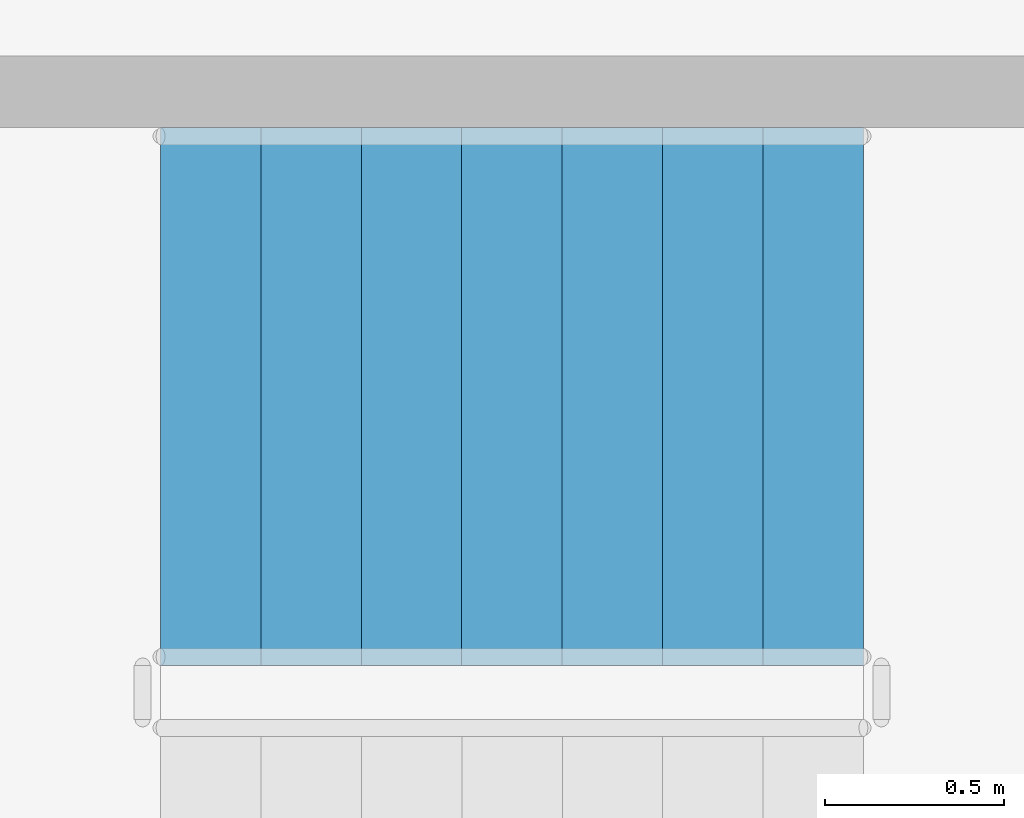
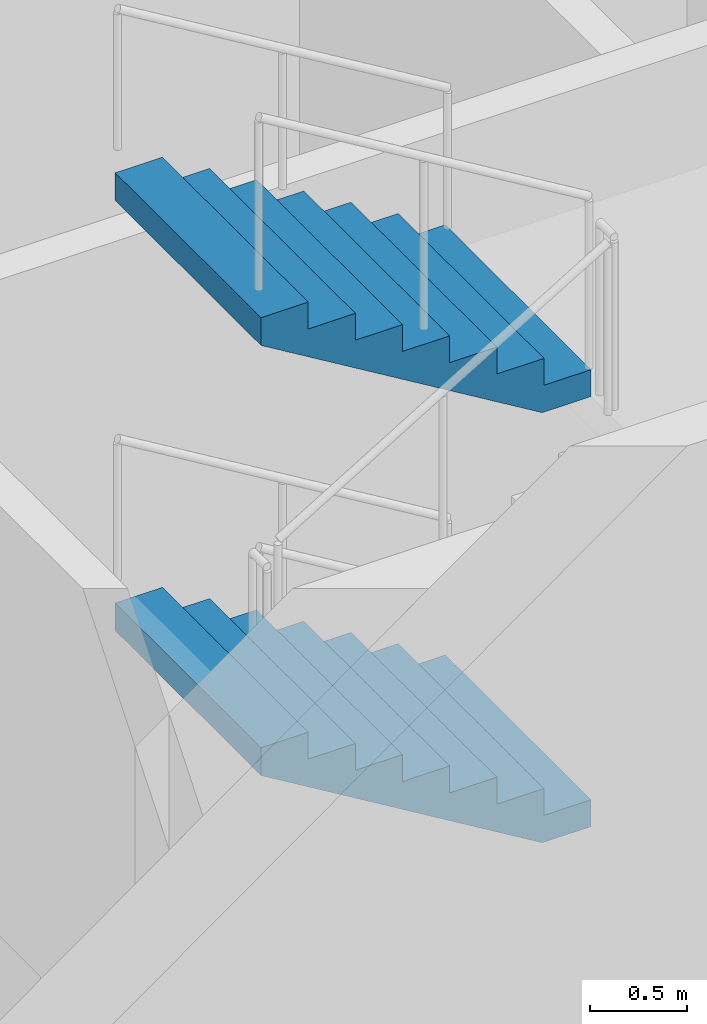
# One storey, part 52 of 101: 2 stair flights, 1 element without a shape of its own.
"""IFC4 building model written with IfcOpenShell, lengths in metres."""

from ifc_helpers import new_model, si_unit, direction, frame, origin, place, context, subcontext, project, spatial, triangles, material, type_object, element, aggregate, save


model = new_model("IFC4")

# Units and contexts
model_context = context("Model", 3, precision=1e-05, world=origin(), true_north=direction((0.0, 1.0)))
body_context = subcontext(model_context, "Body", "Model", "MODEL_VIEW")
ifc_project = project(units=[si_unit("LENGTHUNIT", "METRE"), si_unit("AREAUNIT", "SQUARE_METRE"), si_unit("VOLUMEUNIT", "CUBIC_METRE"), si_unit("PLANEANGLEUNIT", "RADIAN"), si_unit("MASSUNIT", "GRAM", prefix="KILO")], contexts=[model_context])

# Site, building, storey
site_placement = place(None, origin())
site = spatial("IfcSite", under=ifc_project, at=site_placement, CompositionType="ELEMENT")
building_placement = place(site_placement, origin())
building = spatial("IfcBuilding", under=site, at=building_placement, Name="Magnolia Steps Interchange", CompositionType="ELEMENT")
storey_placement = place(building_placement, frame((0.0, 0.0, -5.39990234375)))
storey = spatial("IfcBuildingStorey", under=building, at=storey_placement, Name="B1", CompositionType="ELEMENT", Elevation=-5.39990234375)

# Stair, stair flights
ifc_material_1 = material(Name="Concrete C40", Category="concrete")
stair_type = type_object("IfcStairType", Name="Exit stair 1500", PredefinedType="HALF_TURN_STAIR", material=ifc_material_1)
stair_placement = place(storey_placement, origin())
stair = element("IfcStair", 1, at=stair_placement, inside=storey, type_object=stair_type, Name="B1 Stair 8", PredefinedType="HALF_TURN_STAIR")
ifc_material_2 = material(Name="Concrete C40", Category="concrete")
stair_flight_type = type_object("IfcStairFlightType", Name="Exit stair flight", PredefinedType="STRAIGHT", material=ifc_material_2)
stair_flight_1_placement = place(storey_placement, frame((114.159912109375, 45.300048828125, 1.349853515625), z_axis=(0.0, 0.0, 1.0), x_axis=(-1.0, 0.0, 0.0)))
stair_flight_1 = element("IfcStairFlight", 2, at=stair_flight_1_placement, type_object=stair_flight_type, Name="Stair 8 flight 2", NumberOfRisers=8, NumberOfTreads=7, PredefinedType="STRAIGHT", RiserHeight=0.16875, TreadLength=0.28, context=body_context, shape_type="Tessellation", body=[
    triangles([(0.0, -0.75, 0.0), (0.29052734375, -0.75, 0.0), (1.9599609375, -0.75, 1.00634765625), (1.9599609375, -0.75, 1.18115234375), (1.679931640625, -0.75, 1.18115234375), (1.679931640625, -0.75, 1.012451171875), (1.39990234375, -0.75, 1.012451171875), (1.39990234375, -0.75, 0.84375), (1.1201171875, -0.75, 0.84375), (1.1201171875, -0.75, 0.675048828125), (0.840087890625, -0.75, 0.675048828125), (0.840087890625, -0.75, 0.50634765625), (0.56005859375, -0.75, 0.50634765625), (0.56005859375, -0.75, 0.33740234375), (0.280029296875, -0.75, 0.33740234375), (0.280029296875, -0.75, 0.168701171875), (0.0, -0.75, 0.168701171875), (0.0, 0.75, 0.0), (0.29052734375, 0.75, 0.0), (1.9599609375, 0.75, 1.00634765625), (1.9599609375, 0.75, 1.18115234375), (1.679931640625, 0.75, 1.18115234375), (1.679931640625, 0.75, 1.012451171875), (1.39990234375, 0.75, 1.012451171875), (1.39990234375, 0.75, 0.84375), (1.1201171875, 0.75, 0.84375), (1.1201171875, 0.75, 0.675048828125), (0.840087890625, 0.75, 0.675048828125), (0.840087890625, 0.75, 0.50634765625), (0.56005859375, 0.75, 0.50634765625), (0.56005859375, 0.75, 0.33740234375), (0.280029296875, 0.75, 0.33740234375), (0.280029296875, 0.75, 0.168701171875), (0.0, 0.75, 0.168701171875), (0.0, 0.0, 0.0), (0.0, 0.0, 0.04217529296875), (0.0, 0.0, 0.0843505859375), (0.0, 0.0, 0.12652587890625), (0.0, 0.0, 0.168701171875), (0.0, -0.05, 0.0), (0.0, -0.05, 0.168701171875), (0.0, 0.05, 0.0), (0.0, 0.05, 0.168701171875), (0.046671549479166664, 0.0, 0.168701171875), (0.09334309895833333, 0.0, 0.168701171875), (0.1400146484375, 0.0, 0.168701171875), (0.18668619791666666, 0.0, 0.168701171875), (0.23335774739583334, 0.0, 0.168701171875), (0.280029296875, 0.0, 0.168701171875), (0.280029296875, -0.05, 0.168701171875), (0.280029296875, 0.05, 0.168701171875), (0.280029296875, 0.0, 0.21087646484375), (0.280029296875, 0.0, 0.2530517578125), (0.280029296875, 0.0, 0.29522705078125), (0.280029296875, 0.0, 0.33740234375), (0.280029296875, -0.05, 0.33740234375), (0.280029296875, 0.05, 0.33740234375), (0.3267008463541667, 0.0, 0.33740234375), (0.3733723958333333, 0.0, 0.33740234375), (0.4200439453125, 0.0, 0.33740234375), (0.46671549479166663, 0.0, 0.33740234375), (0.5133870442708334, 0.0, 0.33740234375), (0.56005859375, 0.0, 0.33740234375), (0.56005859375, -0.05, 0.33740234375), (0.56005859375, 0.05, 0.33740234375), (0.56005859375, 0.0, 0.379638671875), (0.56005859375, 0.0, 0.421875), (0.56005859375, 0.0, 0.464111328125), (0.56005859375, 0.0, 0.50634765625), (0.56005859375, -0.05, 0.50634765625), (0.56005859375, 0.05, 0.50634765625), (0.6067301432291666, 0.0, 0.50634765625), (0.6534016927083334, 0.0, 0.50634765625), (0.7000732421875, 0.0, 0.50634765625), (0.7467447916666666, 0.0, 0.50634765625), (0.7934163411458334, 0.0, 0.50634765625), (0.840087890625, 0.0, 0.50634765625), (0.840087890625, -0.05, 0.50634765625), (0.840087890625, 0.05, 0.50634765625), (0.840087890625, 0.0, 0.54852294921875), (0.840087890625, 0.0, 0.5906982421875), (0.840087890625, 0.0, 0.63287353515625), (0.840087890625, 0.0, 0.675048828125), (0.840087890625, -0.05, 0.675048828125), (0.840087890625, 0.05, 0.675048828125), (0.8867594401041666, 0.0, 0.675048828125), (0.9334309895833334, 0.0, 0.675048828125), (0.9801025390625, 0.0, 0.675048828125), (1.0267740885416667, 0.0, 0.675048828125), (1.0734456380208333, 0.0, 0.675048828125), (1.1201171875, 0.0, 0.675048828125), (1.1201171875, -0.05, 0.675048828125), (1.1201171875, 0.05, 0.675048828125), (1.1201171875, 0.0, 0.71722412109375), (1.1201171875, 0.0, 0.7593994140625), (1.1201171875, 0.0, 0.80157470703125), (1.1201171875, 0.0, 0.84375), (1.1201171875, -0.05, 0.84375), (1.1201171875, 0.05, 0.84375), (1.1900634765625, 0.0, 0.84375), (1.260009765625, 0.0, 0.84375), (1.3299560546875, 0.0, 0.84375), (1.39990234375, 0.0, 0.84375), (1.39990234375, -0.05, 0.84375), (1.39990234375, 0.05, 0.84375), (1.39990234375, 0.0, 0.88592529296875), (1.39990234375, 0.0, 0.9281005859375), (1.39990234375, 0.0, 0.97027587890625), (1.39990234375, 0.0, 1.012451171875), (1.39990234375, -0.05, 1.012451171875), (1.39990234375, 0.05, 1.012451171875), (1.4465738932291667, 0.0, 1.012451171875), (1.4932454427083333, 0.0, 1.012451171875), (1.5399169921875, 0.0, 1.012451171875), (1.5865885416666667, 0.0, 1.012451171875), (1.6332600911458333, 0.0, 1.012451171875), (1.679931640625, 0.0, 1.012451171875), (1.679931640625, -0.05, 1.012451171875), (1.679931640625, 0.05, 1.012451171875), (1.679931640625, 0.0, 1.05462646484375), (1.679931640625, 0.0, 1.0968017578125), (1.679931640625, 0.0, 1.13897705078125), (1.679931640625, 0.0, 1.18115234375), (1.679931640625, -0.05, 1.18115234375), (1.679931640625, 0.05, 1.18115234375), (1.7266031901041667, 0.0, 1.18115234375), (1.7732747395833333, 0.0, 1.18115234375), (1.8199462890625, 0.0, 1.18115234375), (1.8666178385416667, 0.0, 1.18115234375), (1.9132893880208333, 0.0, 1.18115234375), (1.9599609375, 0.0, 1.18115234375), (1.9599609375, -0.05, 1.18115234375), (1.9599609375, 0.05, 1.18115234375), (1.9599609375, 0.0, 1.137451171875), (1.9599609375, 0.0, 1.09375), (1.9599609375, 0.0, 1.050048828125), (1.9599609375, 0.0, 1.00634765625), (1.9599609375, -0.05, 1.00634765625), (1.9599609375, 0.05, 1.00634765625), (1.9003383091517858, 0.0, 0.9704066685267857), (1.8407156808035714, 0.0, 0.9344656808035714), (1.7810930524553572, 0.0, 0.8985246930803571), (1.7214704241071428, 0.0, 0.8625837053571428), (1.6618477957589286, 0.0, 0.8266427176339286), (1.6022251674107144, 0.0, 0.7907017299107143), (1.5426025390625, 0.0, 0.7547607421875), (1.4829799107142856, 0.0, 0.7188197544642857), (1.4233572823660714, 0.0, 0.6828787667410714), (1.3637346540178572, 0.0, 0.6469377790178572), (1.3041120256696428, 0.0, 0.6109967912946428), (1.2444893973214286, 0.0, 0.5750558035714286), (1.1848667689732144, 0.0, 0.5391148158482143), (1.125244140625, 0.0, 0.503173828125), (1.0656215122767856, 0.0, 0.4672328404017857), (1.0059988839285714, 0.0, 0.4312918526785714), (0.9463762555803572, 0.0, 0.3953508649553571), (0.8867536272321428, 0.0, 0.3594098772321429), (0.8271309988839286, 0.0, 0.3234688895089286), (0.7675083705357142, 0.0, 0.2875279017857143), (0.7078857421875, 0.0, 0.2515869140625), (0.6482631138392858, 0.0, 0.2156459263392857), (0.5886404854910714, 0.0, 0.1797049386160714), (0.5290178571428572, 0.0, 0.1437639508928571), (0.4693952287946428, 0.0, 0.1078229631696429), (0.4097726004464286, 0.0, 0.0718819754464286), (0.3501499720982142, 0.0, 0.0359409877232143), (0.29052734375, 0.0, 0.0), (0.29052734375, -0.05, 0.0), (0.29052734375, 0.05, 0.0), (0.24210611979166666, 0.0, 0.0), (0.19368489583333331, 0.0, 0.0), (0.145263671875, 0.0, 0.0), (0.09684244791666666, 0.0, 0.0), (0.04842122395833334, 0.0, 0.0)], [[1, 2, 3], [3, 4, 5], [3, 5, 6], [3, 6, 7], [3, 7, 8], [8, 9, 10], [3, 8, 10], [10, 11, 12], [3, 10, 12], [12, 13, 14], [3, 12, 14], [14, 15, 16], [3, 14, 16], [1, 3, 16], [16, 17, 1], [18, 20, 19], [20, 22, 21], [20, 23, 22], [20, 24, 23], [20, 25, 24], [25, 27, 26], [20, 27, 25], [27, 29, 28], [20, 29, 27], [29, 31, 30], [20, 31, 29], [31, 33, 32], [20, 33, 31], [18, 33, 20], [33, 18, 34], [1, 17, 41], [1, 41, 40], [40, 36, 35], [40, 37, 36], [40, 41, 37], [41, 38, 37], [41, 39, 38], [18, 43, 34], [18, 42, 43], [42, 35, 36], [42, 36, 37], [42, 37, 43], [43, 37, 38], [43, 38, 39], [17, 16, 50], [17, 50, 41], [41, 44, 39], [41, 45, 44], [41, 46, 45], [41, 50, 46], [50, 47, 46], [50, 48, 47], [50, 49, 48], [34, 51, 33], [34, 43, 51], [43, 39, 44], [43, 44, 45], [43, 45, 46], [43, 46, 51], [51, 46, 47], [51, 47, 48], [51, 48, 49], [16, 15, 56], [16, 56, 50], [50, 52, 49], [50, 53, 52], [50, 56, 53], [56, 54, 53], [56, 55, 54], [33, 57, 32], [33, 51, 57], [51, 49, 52], [51, 52, 53], [51, 53, 57], [57, 53, 54], [57, 54, 55], [15, 14, 64], [15, 64, 56], [56, 58, 55], [56, 59, 58], [56, 60, 59], [56, 64, 60], [64, 61, 60], [64, 62, 61], [64, 63, 62], [32, 65, 31], [32, 57, 65], [57, 55, 58], [57, 58, 59], [57, 59, 60], [57, 60, 65], [65, 60, 61], [65, 61, 62], [65, 62, 63], [14, 13, 70], [14, 70, 64], [64, 66, 63], [64, 67, 66], [64, 70, 67], [70, 68, 67], [70, 69, 68], [31, 71, 30], [31, 65, 71], [65, 63, 66], [65, 66, 67], [65, 67, 71], [71, 67, 68], [71, 68, 69], [13, 12, 78], [13, 78, 70], [70, 72, 69], [70, 73, 72], [70, 74, 73], [70, 78, 74], [78, 75, 74], [78, 76, 75], [78, 77, 76], [30, 79, 29], [30, 71, 79], [71, 69, 72], [71, 72, 73], [71, 73, 74], [71, 74, 79], [79, 74, 75], [79, 75, 76], [79, 76, 77], [12, 11, 84], [12, 84, 78], [78, 80, 77], [78, 81, 80], [78, 84, 81], [84, 82, 81], [84, 83, 82], [29, 85, 28], [29, 79, 85], [79, 77, 80], [79, 80, 81], [79, 81, 85], [85, 81, 82], [85, 82, 83], [11, 10, 92], [11, 92, 84], [84, 86, 83], [84, 87, 86], [84, 88, 87], [84, 92, 88], [92, 89, 88], [92, 90, 89], [92, 91, 90], [28, 93, 27], [28, 85, 93], [85, 83, 86], [85, 86, 87], [85, 87, 88], [85, 88, 93], [93, 88, 89], [93, 89, 90], [93, 90, 91], [10, 9, 98], [10, 98, 92], [92, 94, 91], [92, 95, 94], [92, 98, 95], [98, 96, 95], [98, 97, 96], [27, 99, 26], [27, 93, 99], [93, 91, 94], [93, 94, 95], [93, 95, 99], [99, 95, 96], [99, 96, 97], [9, 8, 104], [9, 104, 98], [98, 100, 97], [98, 101, 100], [98, 104, 101], [104, 102, 101], [104, 103, 102], [26, 105, 25], [26, 99, 105], [99, 97, 100], [99, 100, 101], [99, 101, 105], [105, 101, 102], [105, 102, 103], [8, 7, 110], [8, 110, 104], [104, 106, 103], [104, 107, 106], [104, 110, 107], [110, 108, 107], [110, 109, 108], [25, 111, 24], [25, 105, 111], [105, 103, 106], [105, 106, 107], [105, 107, 111], [111, 107, 108], [111, 108, 109], [7, 6, 118], [7, 118, 110], [110, 112, 109], [110, 113, 112], [110, 114, 113], [110, 118, 114], [118, 115, 114], [118, 116, 115], [118, 117, 116], [24, 119, 23], [24, 111, 119], [111, 109, 112], [111, 112, 113], [111, 113, 114], [111, 114, 119], [119, 114, 115], [119, 115, 116], [119, 116, 117], [6, 5, 124], [6, 124, 118], [118, 120, 117], [118, 121, 120], [118, 124, 121], [124, 122, 121], [124, 123, 122], [23, 125, 22], [23, 119, 125], [119, 117, 120], [119, 120, 121], [119, 121, 125], [125, 121, 122], [125, 122, 123], [5, 4, 132], [5, 132, 124], [124, 126, 123], [124, 127, 126], [124, 128, 127], [124, 132, 128], [132, 129, 128], [132, 130, 129], [132, 131, 130], [22, 133, 21], [22, 125, 133], [125, 123, 126], [125, 126, 127], [125, 127, 128], [125, 128, 133], [133, 128, 129], [133, 129, 130], [133, 130, 131], [4, 3, 138], [4, 138, 132], [132, 134, 131], [132, 135, 134], [132, 138, 135], [138, 136, 135], [138, 137, 136], [21, 139, 20], [21, 133, 139], [133, 131, 134], [133, 134, 135], [133, 135, 139], [139, 135, 136], [139, 136, 137], [3, 2, 168], [3, 168, 138], [138, 140, 137], [138, 141, 140], [138, 142, 141], [138, 143, 142], [138, 144, 143], [138, 145, 144], [138, 146, 145], [138, 147, 146], [138, 148, 147], [138, 149, 148], [138, 150, 149], [138, 151, 150], [138, 152, 151], [138, 153, 152], [138, 168, 153], [168, 154, 153], [168, 155, 154], [168, 156, 155], [168, 157, 156], [168, 158, 157], [168, 159, 158], [168, 160, 159], [168, 161, 160], [168, 162, 161], [168, 163, 162], [168, 164, 163], [168, 165, 164], [168, 166, 165], [168, 167, 166], [20, 169, 19], [20, 139, 169], [139, 137, 140], [139, 140, 141], [139, 141, 142], [139, 142, 143], [139, 143, 144], [139, 144, 145], [139, 145, 146], [139, 146, 147], [139, 147, 148], [139, 148, 149], [139, 149, 150], [139, 150, 151], [139, 151, 152], [139, 152, 153], [139, 153, 169], [169, 153, 154], [169, 154, 155], [169, 155, 156], [169, 156, 157], [169, 157, 158], [169, 158, 159], [169, 159, 160], [169, 160, 161], [169, 161, 162], [169, 162, 163], [169, 163, 164], [169, 164, 165], [169, 165, 166], [169, 166, 167], [2, 1, 40], [2, 40, 168], [168, 170, 167], [168, 171, 170], [168, 172, 171], [168, 40, 172], [40, 173, 172], [40, 174, 173], [40, 35, 174], [19, 42, 18], [19, 169, 42], [169, 167, 170], [169, 170, 171], [169, 171, 172], [169, 172, 42], [42, 172, 173], [42, 173, 174], [42, 174, 35]], closed=True),
])
stair_flight_2_placement = place(storey_placement, frame((114.159912109375, 45.300048828125, 4.0498046875), z_axis=(0.0, 0.0, 1.0), x_axis=(-1.0, 0.0, 0.0)))
stair_flight_2 = element("IfcStairFlight", 3, at=stair_flight_2_placement, type_object=stair_flight_type, Name="Stair 8 flight 4", NumberOfRisers=8, NumberOfTreads=7, PredefinedType="STRAIGHT", RiserHeight=0.16875, TreadLength=0.28, context=body_context, shape_type="Tessellation", body=[
    triangles([(0.0, -0.75, 0.0), (0.29052734375, -0.75, 0.0), (1.9599609375, -0.75, 1.00634765625), (1.9599609375, -0.75, 1.18115234375), (1.679931640625, -0.75, 1.18115234375), (1.679931640625, -0.75, 1.012451171875), (1.39990234375, -0.75, 1.012451171875), (1.39990234375, -0.75, 0.84375), (1.1201171875, -0.75, 0.84375), (1.1201171875, -0.75, 0.675048828125), (0.840087890625, -0.75, 0.675048828125), (0.840087890625, -0.75, 0.50634765625), (0.56005859375, -0.75, 0.50634765625), (0.56005859375, -0.75, 0.33740234375), (0.280029296875, -0.75, 0.33740234375), (0.280029296875, -0.75, 0.168701171875), (0.0, -0.75, 0.168701171875), (0.0, 0.75, 0.0), (0.29052734375, 0.75, 0.0), (1.9599609375, 0.75, 1.00634765625), (1.9599609375, 0.75, 1.18115234375), (1.679931640625, 0.75, 1.18115234375), (1.679931640625, 0.75, 1.012451171875), (1.39990234375, 0.75, 1.012451171875), (1.39990234375, 0.75, 0.84375), (1.1201171875, 0.75, 0.84375), (1.1201171875, 0.75, 0.675048828125), (0.840087890625, 0.75, 0.675048828125), (0.840087890625, 0.75, 0.50634765625), (0.56005859375, 0.75, 0.50634765625), (0.56005859375, 0.75, 0.33740234375), (0.280029296875, 0.75, 0.33740234375), (0.280029296875, 0.75, 0.168701171875), (0.0, 0.75, 0.168701171875), (0.0, 0.0, 0.0), (0.0, 0.0, 0.04217529296875), (0.0, 0.0, 0.0843505859375), (0.0, 0.0, 0.12652587890625), (0.0, 0.0, 0.168701171875), (0.0, -0.05, 0.0), (0.0, -0.05, 0.168701171875), (0.0, 0.05, 0.0), (0.0, 0.05, 0.168701171875), (0.046671549479166664, 0.0, 0.168701171875), (0.09334309895833333, 0.0, 0.168701171875), (0.1400146484375, 0.0, 0.168701171875), (0.18668619791666666, 0.0, 0.168701171875), (0.23335774739583334, 0.0, 0.168701171875), (0.280029296875, 0.0, 0.168701171875), (0.280029296875, -0.05, 0.168701171875), (0.280029296875, 0.05, 0.168701171875), (0.280029296875, 0.0, 0.21087646484375), (0.280029296875, 0.0, 0.2530517578125), (0.280029296875, 0.0, 0.29522705078125), (0.280029296875, 0.0, 0.33740234375), (0.280029296875, -0.05, 0.33740234375), (0.280029296875, 0.05, 0.33740234375), (0.3267008463541667, 0.0, 0.33740234375), (0.3733723958333333, 0.0, 0.33740234375), (0.4200439453125, 0.0, 0.33740234375), (0.46671549479166663, 0.0, 0.33740234375), (0.5133870442708334, 0.0, 0.33740234375), (0.56005859375, 0.0, 0.33740234375), (0.56005859375, -0.05, 0.33740234375), (0.56005859375, 0.05, 0.33740234375), (0.56005859375, 0.0, 0.379638671875), (0.56005859375, 0.0, 0.421875), (0.56005859375, 0.0, 0.464111328125), (0.56005859375, 0.0, 0.50634765625), (0.56005859375, -0.05, 0.50634765625), (0.56005859375, 0.05, 0.50634765625), (0.6067301432291666, 0.0, 0.50634765625), (0.6534016927083334, 0.0, 0.50634765625), (0.7000732421875, 0.0, 0.50634765625), (0.7467447916666666, 0.0, 0.50634765625), (0.7934163411458334, 0.0, 0.50634765625), (0.840087890625, 0.0, 0.50634765625), (0.840087890625, -0.05, 0.50634765625), (0.840087890625, 0.05, 0.50634765625), (0.840087890625, 0.0, 0.54852294921875), (0.840087890625, 0.0, 0.5906982421875), (0.840087890625, 0.0, 0.63287353515625), (0.840087890625, 0.0, 0.675048828125), (0.840087890625, -0.05, 0.675048828125), (0.840087890625, 0.05, 0.675048828125), (0.8867594401041666, 0.0, 0.675048828125), (0.9334309895833334, 0.0, 0.675048828125), (0.9801025390625, 0.0, 0.675048828125), (1.0267740885416667, 0.0, 0.675048828125), (1.0734456380208333, 0.0, 0.675048828125), (1.1201171875, 0.0, 0.675048828125), (1.1201171875, -0.05, 0.675048828125), (1.1201171875, 0.05, 0.675048828125), (1.1201171875, 0.0, 0.71722412109375), (1.1201171875, 0.0, 0.7593994140625), (1.1201171875, 0.0, 0.80157470703125), (1.1201171875, 0.0, 0.84375), (1.1201171875, -0.05, 0.84375), (1.1201171875, 0.05, 0.84375), (1.1900634765625, 0.0, 0.84375), (1.260009765625, 0.0, 0.84375), (1.3299560546875, 0.0, 0.84375), (1.39990234375, 0.0, 0.84375), (1.39990234375, -0.05, 0.84375), (1.39990234375, 0.05, 0.84375), (1.39990234375, 0.0, 0.88592529296875), (1.39990234375, 0.0, 0.9281005859375), (1.39990234375, 0.0, 0.97027587890625), (1.39990234375, 0.0, 1.012451171875), (1.39990234375, -0.05, 1.012451171875), (1.39990234375, 0.05, 1.012451171875), (1.4465738932291667, 0.0, 1.012451171875), (1.4932454427083333, 0.0, 1.012451171875), (1.5399169921875, 0.0, 1.012451171875), (1.5865885416666667, 0.0, 1.012451171875), (1.6332600911458333, 0.0, 1.012451171875), (1.679931640625, 0.0, 1.012451171875), (1.679931640625, -0.05, 1.012451171875), (1.679931640625, 0.05, 1.012451171875), (1.679931640625, 0.0, 1.05462646484375), (1.679931640625, 0.0, 1.0968017578125), (1.679931640625, 0.0, 1.13897705078125), (1.679931640625, 0.0, 1.18115234375), (1.679931640625, -0.05, 1.18115234375), (1.679931640625, 0.05, 1.18115234375), (1.7266031901041667, 0.0, 1.18115234375), (1.7732747395833333, 0.0, 1.18115234375), (1.8199462890625, 0.0, 1.18115234375), (1.8666178385416667, 0.0, 1.18115234375), (1.9132893880208333, 0.0, 1.18115234375), (1.9599609375, 0.0, 1.18115234375), (1.9599609375, -0.05, 1.18115234375), (1.9599609375, 0.05, 1.18115234375), (1.9599609375, 0.0, 1.137451171875), (1.9599609375, 0.0, 1.09375), (1.9599609375, 0.0, 1.050048828125), (1.9599609375, 0.0, 1.00634765625), (1.9599609375, -0.05, 1.00634765625), (1.9599609375, 0.05, 1.00634765625), (1.9003383091517858, 0.0, 0.9704066685267857), (1.8407156808035714, 0.0, 0.9344656808035714), (1.7810930524553572, 0.0, 0.8985246930803571), (1.7214704241071428, 0.0, 0.8625837053571428), (1.6618477957589286, 0.0, 0.8266427176339286), (1.6022251674107144, 0.0, 0.7907017299107143), (1.5426025390625, 0.0, 0.7547607421875), (1.4829799107142856, 0.0, 0.7188197544642857), (1.4233572823660714, 0.0, 0.6828787667410714), (1.3637346540178572, 0.0, 0.6469377790178572), (1.3041120256696428, 0.0, 0.6109967912946428), (1.2444893973214286, 0.0, 0.5750558035714286), (1.1848667689732144, 0.0, 0.5391148158482143), (1.125244140625, 0.0, 0.503173828125), (1.0656215122767856, 0.0, 0.4672328404017857), (1.0059988839285714, 0.0, 0.4312918526785714), (0.9463762555803572, 0.0, 0.3953508649553571), (0.8867536272321428, 0.0, 0.3594098772321429), (0.8271309988839286, 0.0, 0.3234688895089286), (0.7675083705357142, 0.0, 0.2875279017857143), (0.7078857421875, 0.0, 0.2515869140625), (0.6482631138392858, 0.0, 0.2156459263392857), (0.5886404854910714, 0.0, 0.1797049386160714), (0.5290178571428572, 0.0, 0.1437639508928571), (0.4693952287946428, 0.0, 0.1078229631696429), (0.4097726004464286, 0.0, 0.0718819754464286), (0.3501499720982142, 0.0, 0.0359409877232143), (0.29052734375, 0.0, 0.0), (0.29052734375, -0.05, 0.0), (0.29052734375, 0.05, 0.0), (0.24210611979166666, 0.0, 0.0), (0.19368489583333331, 0.0, 0.0), (0.145263671875, 0.0, 0.0), (0.09684244791666666, 0.0, 0.0), (0.04842122395833334, 0.0, 0.0)], [[1, 2, 3], [3, 4, 5], [3, 5, 6], [3, 6, 7], [3, 7, 8], [8, 9, 10], [3, 8, 10], [10, 11, 12], [3, 10, 12], [12, 13, 14], [3, 12, 14], [14, 15, 16], [3, 14, 16], [1, 3, 16], [16, 17, 1], [18, 20, 19], [20, 22, 21], [20, 23, 22], [20, 24, 23], [20, 25, 24], [25, 27, 26], [20, 27, 25], [27, 29, 28], [20, 29, 27], [29, 31, 30], [20, 31, 29], [31, 33, 32], [20, 33, 31], [18, 33, 20], [33, 18, 34], [1, 17, 41], [1, 41, 40], [40, 36, 35], [40, 37, 36], [40, 41, 37], [41, 38, 37], [41, 39, 38], [18, 43, 34], [18, 42, 43], [42, 35, 36], [42, 36, 37], [42, 37, 43], [43, 37, 38], [43, 38, 39], [17, 16, 50], [17, 50, 41], [41, 44, 39], [41, 45, 44], [41, 46, 45], [41, 50, 46], [50, 47, 46], [50, 48, 47], [50, 49, 48], [34, 51, 33], [34, 43, 51], [43, 39, 44], [43, 44, 45], [43, 45, 46], [43, 46, 51], [51, 46, 47], [51, 47, 48], [51, 48, 49], [16, 15, 56], [16, 56, 50], [50, 52, 49], [50, 53, 52], [50, 56, 53], [56, 54, 53], [56, 55, 54], [33, 57, 32], [33, 51, 57], [51, 49, 52], [51, 52, 53], [51, 53, 57], [57, 53, 54], [57, 54, 55], [15, 14, 64], [15, 64, 56], [56, 58, 55], [56, 59, 58], [56, 60, 59], [56, 64, 60], [64, 61, 60], [64, 62, 61], [64, 63, 62], [32, 65, 31], [32, 57, 65], [57, 55, 58], [57, 58, 59], [57, 59, 60], [57, 60, 65], [65, 60, 61], [65, 61, 62], [65, 62, 63], [14, 13, 70], [14, 70, 64], [64, 66, 63], [64, 67, 66], [64, 70, 67], [70, 68, 67], [70, 69, 68], [31, 71, 30], [31, 65, 71], [65, 63, 66], [65, 66, 67], [65, 67, 71], [71, 67, 68], [71, 68, 69], [13, 12, 78], [13, 78, 70], [70, 72, 69], [70, 73, 72], [70, 74, 73], [70, 78, 74], [78, 75, 74], [78, 76, 75], [78, 77, 76], [30, 79, 29], [30, 71, 79], [71, 69, 72], [71, 72, 73], [71, 73, 74], [71, 74, 79], [79, 74, 75], [79, 75, 76], [79, 76, 77], [12, 11, 84], [12, 84, 78], [78, 80, 77], [78, 81, 80], [78, 84, 81], [84, 82, 81], [84, 83, 82], [29, 85, 28], [29, 79, 85], [79, 77, 80], [79, 80, 81], [79, 81, 85], [85, 81, 82], [85, 82, 83], [11, 10, 92], [11, 92, 84], [84, 86, 83], [84, 87, 86], [84, 88, 87], [84, 92, 88], [92, 89, 88], [92, 90, 89], [92, 91, 90], [28, 93, 27], [28, 85, 93], [85, 83, 86], [85, 86, 87], [85, 87, 88], [85, 88, 93], [93, 88, 89], [93, 89, 90], [93, 90, 91], [10, 9, 98], [10, 98, 92], [92, 94, 91], [92, 95, 94], [92, 98, 95], [98, 96, 95], [98, 97, 96], [27, 99, 26], [27, 93, 99], [93, 91, 94], [93, 94, 95], [93, 95, 99], [99, 95, 96], [99, 96, 97], [9, 8, 104], [9, 104, 98], [98, 100, 97], [98, 101, 100], [98, 104, 101], [104, 102, 101], [104, 103, 102], [26, 105, 25], [26, 99, 105], [99, 97, 100], [99, 100, 101], [99, 101, 105], [105, 101, 102], [105, 102, 103], [8, 7, 110], [8, 110, 104], [104, 106, 103], [104, 107, 106], [104, 110, 107], [110, 108, 107], [110, 109, 108], [25, 111, 24], [25, 105, 111], [105, 103, 106], [105, 106, 107], [105, 107, 111], [111, 107, 108], [111, 108, 109], [7, 6, 118], [7, 118, 110], [110, 112, 109], [110, 113, 112], [110, 114, 113], [110, 118, 114], [118, 115, 114], [118, 116, 115], [118, 117, 116], [24, 119, 23], [24, 111, 119], [111, 109, 112], [111, 112, 113], [111, 113, 114], [111, 114, 119], [119, 114, 115], [119, 115, 116], [119, 116, 117], [6, 5, 124], [6, 124, 118], [118, 120, 117], [118, 121, 120], [118, 124, 121], [124, 122, 121], [124, 123, 122], [23, 125, 22], [23, 119, 125], [119, 117, 120], [119, 120, 121], [119, 121, 125], [125, 121, 122], [125, 122, 123], [5, 4, 132], [5, 132, 124], [124, 126, 123], [124, 127, 126], [124, 128, 127], [124, 132, 128], [132, 129, 128], [132, 130, 129], [132, 131, 130], [22, 133, 21], [22, 125, 133], [125, 123, 126], [125, 126, 127], [125, 127, 128], [125, 128, 133], [133, 128, 129], [133, 129, 130], [133, 130, 131], [4, 3, 138], [4, 138, 132], [132, 134, 131], [132, 135, 134], [132, 138, 135], [138, 136, 135], [138, 137, 136], [21, 139, 20], [21, 133, 139], [133, 131, 134], [133, 134, 135], [133, 135, 139], [139, 135, 136], [139, 136, 137], [3, 2, 168], [3, 168, 138], [138, 140, 137], [138, 141, 140], [138, 142, 141], [138, 143, 142], [138, 144, 143], [138, 145, 144], [138, 146, 145], [138, 147, 146], [138, 148, 147], [138, 149, 148], [138, 150, 149], [138, 151, 150], [138, 152, 151], [138, 153, 152], [138, 168, 153], [168, 154, 153], [168, 155, 154], [168, 156, 155], [168, 157, 156], [168, 158, 157], [168, 159, 158], [168, 160, 159], [168, 161, 160], [168, 162, 161], [168, 163, 162], [168, 164, 163], [168, 165, 164], [168, 166, 165], [168, 167, 166], [20, 169, 19], [20, 139, 169], [139, 137, 140], [139, 140, 141], [139, 141, 142], [139, 142, 143], [139, 143, 144], [139, 144, 145], [139, 145, 146], [139, 146, 147], [139, 147, 148], [139, 148, 149], [139, 149, 150], [139, 150, 151], [139, 151, 152], [139, 152, 153], [139, 153, 169], [169, 153, 154], [169, 154, 155], [169, 155, 156], [169, 156, 157], [169, 157, 158], [169, 158, 159], [169, 159, 160], [169, 160, 161], [169, 161, 162], [169, 162, 163], [169, 163, 164], [169, 164, 165], [169, 165, 166], [169, 166, 167], [2, 1, 40], [2, 40, 168], [168, 170, 167], [168, 171, 170], [168, 172, 171], [168, 40, 172], [40, 173, 172], [40, 174, 173], [40, 35, 174], [19, 42, 18], [19, 169, 42], [169, 167, 170], [169, 170, 171], [169, 171, 172], [169, 172, 42], [42, 172, 173], [42, 173, 174], [42, 174, 35]], closed=True),
])
aggregate(stair, [stair_flight_1, stair_flight_2])

save(model, "model.ifc")
